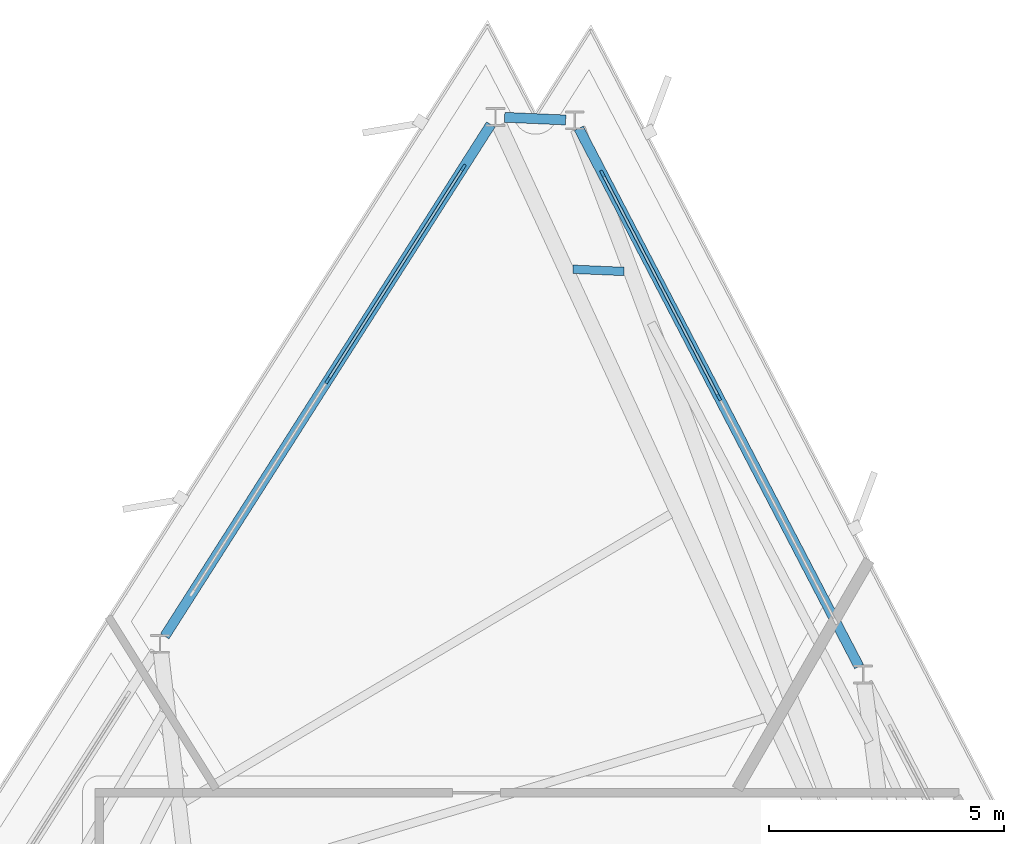
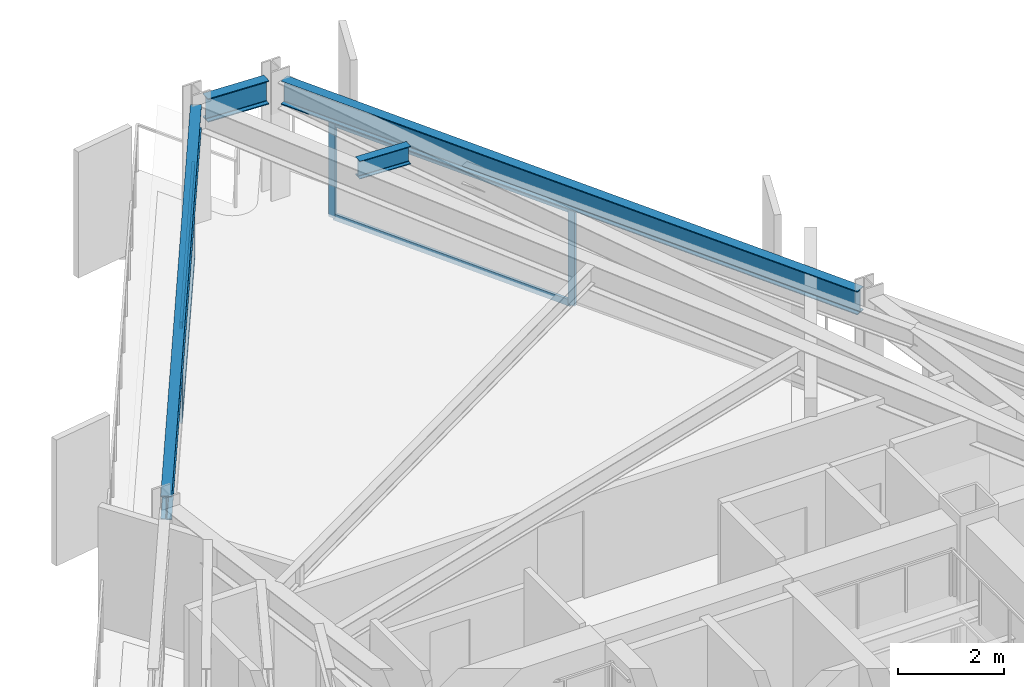
# One storey, part 6 of 12: 8 members, 4 beams, 2 elements without a shape of their own.
"""IFC4 building model written with IfcOpenShell, lengths in metres."""

from ifc_helpers import new_model, si_unit, direction, frame, origin, origin_2d, place, context, subcontext, project, spatial, rectangle, i_section, extrude, material, layer, layer_set, material_profile, profile_set, type_object, element, aggregate, save


model = new_model("IFC4")

# Units and contexts
model_context = context("Model", 3, precision=1e-05, world=origin(), true_north=direction((0.0, 1.0)))
body_context = subcontext(model_context, "Body", "Model", "MODEL_VIEW")
ifc_project = project(units=[si_unit("LENGTHUNIT", "METRE"), si_unit("AREAUNIT", "SQUARE_METRE"), si_unit("VOLUMEUNIT", "CUBIC_METRE"), si_unit("PLANEANGLEUNIT", "RADIAN"), si_unit("MASSUNIT", "GRAM", prefix="KILO")], contexts=[model_context])

# Site, building, storey
site_placement = place(None, origin())
site = spatial("IfcSite", under=ifc_project, at=site_placement, CompositionType="ELEMENT")
building_placement = place(site_placement, origin())
building = spatial("IfcBuilding", under=site, at=building_placement, Name="Rocaltana Carrier Exchange", CompositionType="ELEMENT")
storey_placement = place(building_placement, frame((0.0, 0.0, 138.080078125)))
storey = spatial("IfcBuildingStorey", under=building, at=storey_placement, Name="L43", CompositionType="ELEMENT", Elevation=138.080078125)

# Curtain wall, members
ifc_material_1 = material(Name="Aluminium 6063-T6", Category="aluminium")
ifc_layer = layer(ifc_material_1, 0.14990234375)
ifc_layer_set = layer_set([ifc_layer], Name="Aluminium 6063-T6")
curtain_wall_type = type_object("IfcCurtainWallType", Name="Mid-Tower Unitised Curtain Wall CW-03", PredefinedType="NOTDEFINED", material=ifc_layer_set)
curtain_wall_1_placement = place(storey_placement, origin())
curtain_wall_1 = element("IfcCurtainWall", 1, at=curtain_wall_1_placement, inside=storey, type_object=curtain_wall_type, Name="L43 CW-03 Run CW-L43-F1S3", PredefinedType="NOTDEFINED")
ifc_material_2 = material(Name="Aluminium 6063-T6", Category="aluminium")
ifc_material_profile_1 = material_profile(ifc_material_2, rectangle(XDim=0.06005859375, YDim=0.14990234375, at=origin_2d()), Name="AL-60X150")
ifc_profile_set_1 = profile_set([ifc_material_profile_1], Name="Aluminium 6063-T6")
member_type_1 = type_object("IfcMemberType", Name="CW-03 Mullion AL-60X150", PredefinedType="MULLION", material=ifc_profile_set_1)
member_1_placement = place(storey_placement, frame((4.938232421875, 17.56494140625, 0.0), z_axis=(0.0, 0.0, 1.0), x_axis=(-0.887007955385, -0.461754141383, 0.0)))
member_1 = element("IfcMember", 2, at=member_1_placement, type_object=member_type_1, Name="CW-03 mullion 2", PredefinedType="MULLION", context=body_context, shape_type="SweptSolid", body=[
    extrude(rectangle(XDim=0.06005859375, YDim=0.14990234375, at=origin_2d()), origin(), (0.0, 0.0, 1.0), 2.218017578125),
])
member_2_placement = place(storey_placement, frame((2.458740234375, 22.328125, 0.0), z_axis=(0.0, 0.0, 1.0), x_axis=(-0.887007955385, -0.461754141383, 0.0)))
member_2 = element("IfcMember", 3, at=member_2_placement, type_object=member_type_1, Name="CW-03 mullion 3", PredefinedType="MULLION", context=body_context, shape_type="SweptSolid", body=[
    extrude(rectangle(XDim=0.06005859375, YDim=0.14990234375, at=origin_2d()), origin(), (0.0, 0.0, 1.0), 2.218017578125),
])

curtain_wall_2_placement = place(storey_placement, origin())
curtain_wall_2 = element("IfcCurtainWall", 4, at=curtain_wall_2_placement, inside=storey, type_object=curtain_wall_type, Name="L43 CW-03 Run CW-L43-F2S1", PredefinedType="NOTDEFINED")
member_3_placement = place(storey_placement, frame((-0.50341796875, 22.45751953125, 0.0), z_axis=(0.0, 0.0, 1.0), x_axis=(0.843390685726, -0.537300801443, 0.0)))
member_3 = element("IfcMember", 5, at=member_3_placement, type_object=member_type_1, Name="CW-03 mullion 1", PredefinedType="MULLION", context=body_context, shape_type="SweptSolid", body=[
    extrude(rectangle(XDim=0.06005859375, YDim=0.14990234375, at=origin_2d()), origin(), (0.0, 0.0, 1.0), 2.218017578125),
])
member_4_placement = place(storey_placement, frame((-3.388671875, 17.928466796875, 0.0), z_axis=(0.0, 0.0, 1.0), x_axis=(0.843390685726, -0.537300801443, 0.0)))
member_4 = element("IfcMember", 6, at=member_4_placement, type_object=member_type_1, Name="CW-03 mullion 2", PredefinedType="MULLION", context=body_context, shape_type="SweptSolid", body=[
    extrude(rectangle(XDim=0.06005859375, YDim=0.14990234375, at=origin_2d()), origin(), (0.0, 0.0, 1.0), 2.218017578125),
])

# Member
ifc_material_3 = material(Name="Aluminium 6063-T6", Category="aluminium")
ifc_material_profile_2 = material_profile(ifc_material_3, rectangle(XDim=0.06005859375, YDim=0.14990234375, at=origin_2d()), Name="AL-60X150")
ifc_profile_set_2 = profile_set([ifc_material_profile_2], Name="Aluminium 6063-T6")
member_type_2 = type_object("IfcMemberType", Name="CW-03 Transom AL-60X150", PredefinedType="USERDEFINED", material=ifc_profile_set_2)
member_5_placement = place(storey_placement, frame((4.924560546875, 17.591552734375, 0.030029296875), z_axis=(-0.461756588365, 0.887006681543, 0.0), x_axis=(-0.887006681543, -0.461756588365, 0.0)))
member_5 = element("IfcMember", 7, at=member_5_placement, type_object=member_type_2, Name="CW-03 transom 2.1", ObjectType="TRANSOM", PredefinedType="USERDEFINED", context=body_context, shape_type="SweptSolid", body=[
    extrude(rectangle(XDim=0.06005859375, YDim=0.14990234375, at=origin_2d()), origin(), (0.0, 0.0, 1.0), 5.31005859375),
])

member_6_placement = place(storey_placement, frame((4.924560546875, 17.591552734375, 2.18798828125), z_axis=(-0.461756588365, 0.887006681543, 0.0), x_axis=(-0.887006681543, -0.461756588365, 0.0)))
member_6 = element("IfcMember", 8, at=member_6_placement, type_object=member_type_2, Name="CW-03 transom 2.2", ObjectType="TRANSOM", PredefinedType="USERDEFINED", context=body_context, shape_type="SweptSolid", body=[
    extrude(rectangle(XDim=0.06005859375, YDim=0.14990234375, at=origin_2d()), origin(), (0.0, 0.0, 1.0), 5.31005859375),
])

aggregate(curtain_wall_1, [member_1, member_2, member_5, member_6])

member_7_placement = place(storey_placement, frame((-0.51953125, 22.43212890625, 0.030029296875), z_axis=(-0.537306810176, -0.843386857698, 0.0), x_axis=(0.843386857698, -0.537306810176, 0.0)))
member_7 = element("IfcMember", 9, at=member_7_placement, type_object=member_type_2, Name="CW-03 transom 1.1", ObjectType="TRANSOM", PredefinedType="USERDEFINED", context=body_context, shape_type="SweptSolid", body=[
    extrude(rectangle(XDim=0.06005859375, YDim=0.14990234375, at=origin_2d()), origin(), (0.0, 0.0, 1.0), 5.309814453125),
])

member_8_placement = place(storey_placement, frame((-0.51953125, 22.43212890625, 2.18798828125), z_axis=(-0.537306810176, -0.843386857698, 0.0), x_axis=(0.843386857698, -0.537306810176, 0.0)))
member_8 = element("IfcMember", 10, at=member_8_placement, type_object=member_type_2, Name="CW-03 transom 1.2", ObjectType="TRANSOM", PredefinedType="USERDEFINED", context=body_context, shape_type="SweptSolid", body=[
    extrude(rectangle(XDim=0.06005859375, YDim=0.14990234375, at=origin_2d()), origin(), (0.0, 0.0, 1.0), 5.309814453125),
])

aggregate(curtain_wall_2, [member_3, member_4, member_7, member_8])

# Beams
ifc_material_4 = material(Name="Steel S355", Category="steel")
ifc_material_profile_3 = material_profile(ifc_material_4, i_section(OverallWidth=0.179931640625, OverallDepth=0.4130859375, WebThickness=0.009765625, FlangeThickness=0.01611328125, FilletRadius=0.012939453125, at=origin_2d()), Name="W16X50")
ifc_profile_set_3 = profile_set([ifc_material_profile_3], Name="Steel S355")
beam_type_1 = type_object("IfcBeamType", Name="Floor Joist W16X50", PredefinedType="JOIST", material=ifc_profile_set_3)
beam_1_placement = place(storey_placement, frame((2.915771484375, 20.24658203125, 2.58154296875), z_axis=(-0.999049362551, 0.043593247039, 0.0), x_axis=(-0.043593247039, -0.999049362551, 0.0)))
element("IfcBeam", 11, at=beam_1_placement, inside=storey, type_object=beam_type_1, Name="FJ-L43-04-3", PredefinedType="JOIST", context=body_context, shape_type="SweptSolid", body=[
    extrude(i_section(OverallWidth=0.179931640625, OverallDepth=0.4130859375, WebThickness=0.009765625, FlangeThickness=0.01611328125, FilletRadius=0.012939453125, at=origin_2d()), origin(), (0.0, 0.0, 1.0), 1.08642578125),
])
ifc_material_5 = material(Name="Steel S355", Category="steel")
ifc_material_profile_4 = material_profile(ifc_material_5, i_section(OverallWidth=0.2119140625, OverallDepth=0.5439453125, WebThickness=0.01318359375, FlangeThickness=0.021240234375, FilletRadius=0.014892578125, at=origin_2d()), Name="W21X83")
ifc_profile_set_4 = profile_set([ifc_material_profile_4], Name="Steel S355")
beam_type_2 = type_object("IfcBeamType", Name="Spandrel Edge Beam W21X83", PredefinedType="SPANDREL", material=ifc_profile_set_4)
beam_2_placement = place(storey_placement, frame((7.920654296875, 11.836181640625, 2.515869140625), z_axis=(-0.461760336078, 0.887004730554, 0.0), x_axis=(-0.887004730554, -0.461760336078, 0.0)))
element("IfcBeam", 12, at=beam_2_placement, inside=storey, type_object=beam_type_2, Name="SP-L43-03", PredefinedType="SPANDREL", context=body_context, shape_type="SweptSolid", body=[
    extrude(i_section(OverallWidth=0.2119140625, OverallDepth=0.5439453125, WebThickness=0.01318359375, FlangeThickness=0.021240234375, FilletRadius=0.014892578125, at=origin_2d()), origin(), (0.0, 0.0, 1.0), 12.9169921875),
])
beam_3_placement = place(storey_placement, frame((1.676513671875, 23.471923828125, 2.515869140625), z_axis=(-0.999053325894, 0.043502321998, 0.0), x_axis=(-0.043502321998, -0.999053325894, 0.0)))
element("IfcBeam", 13, at=beam_3_placement, inside=storey, type_object=beam_type_2, Name="SP-L43-04", PredefinedType="SPANDREL", context=body_context, shape_type="SweptSolid", body=[
    extrude(i_section(OverallWidth=0.2119140625, OverallDepth=0.5439453125, WebThickness=0.01318359375, FlangeThickness=0.021240234375, FilletRadius=0.014892578125, at=origin_2d()), origin(), (0.0, 0.0, 1.0), 1.302001953125),
])
beam_4_placement = place(storey_placement, frame((0.08154296875, 23.37548828125, 2.515869140625), z_axis=(-0.537308358117, -0.843385871531, 0.0), x_axis=(0.843385871531, -0.537308358117, 0.0)))
element("IfcBeam", 14, at=beam_4_placement, inside=storey, type_object=beam_type_2, Name="SP-L43-05", PredefinedType="SPANDREL", context=body_context, shape_type="SweptSolid", body=[
    extrude(i_section(OverallWidth=0.2119140625, OverallDepth=0.5439453125, WebThickness=0.01318359375, FlangeThickness=0.021240234375, FilletRadius=0.014892578125, at=origin_2d()), origin(), (0.0, 0.0, 1.0), 12.9169921875),
])

save(model, "model.ifc")
